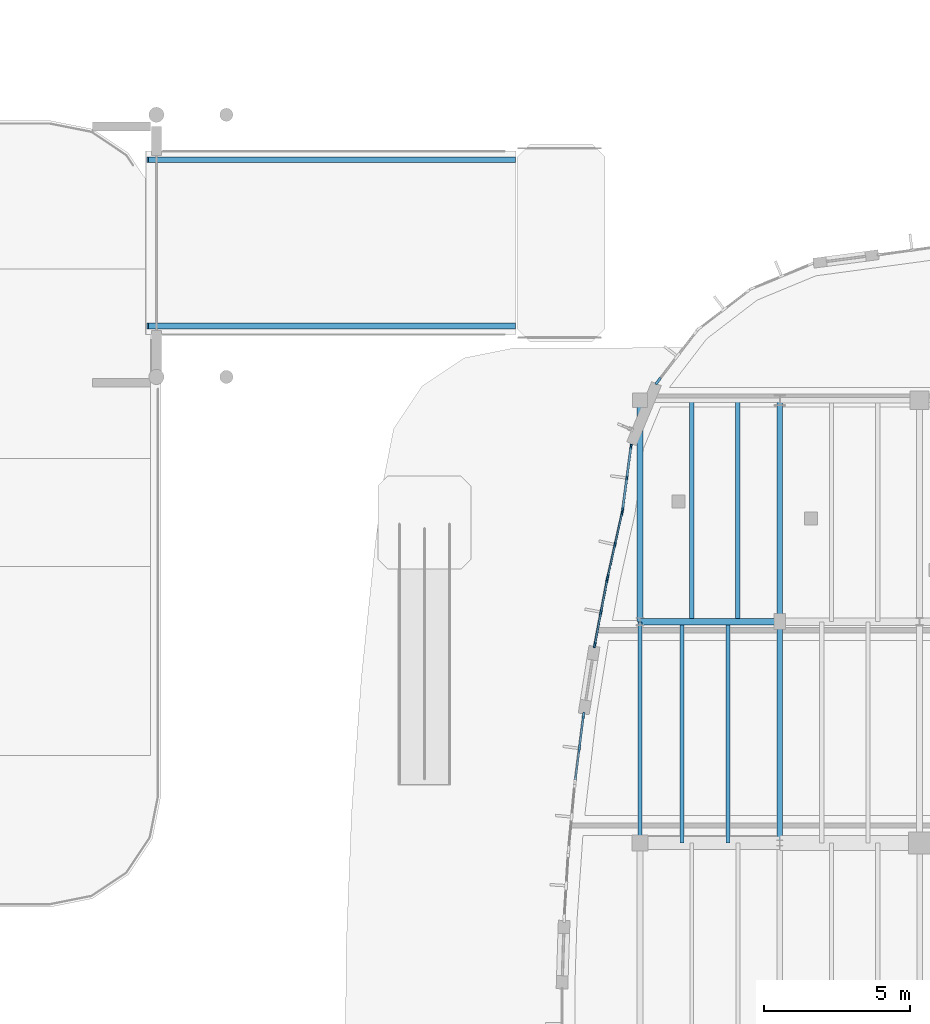
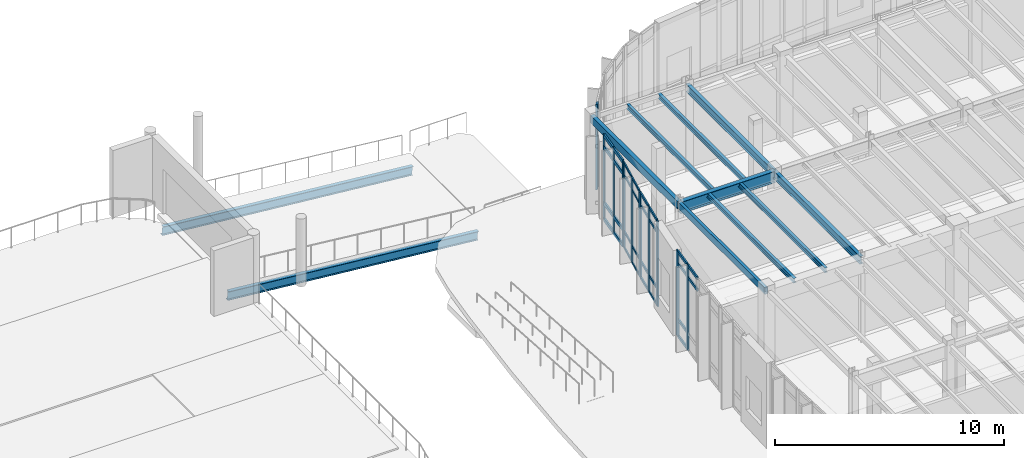
# One storey, part 53 of 120: 42 members, 11 beams, 5 elements without a shape of their own.
"""IFC4 building model written with IfcOpenShell, lengths in metres."""

from ifc_helpers import new_model, si_unit, direction, frame, origin, origin_2d, place, context, subcontext, project, spatial, rectangle, hollow_rectangle, i_section, extrude, material, material_profile, profile_set, type_object, element, aggregate, save


model = new_model("IFC4")

# Units and contexts
model_context = context("Model", 3, precision=1e-05, world=origin(), true_north=direction((0.0, 1.0)))
body_context = subcontext(model_context, "Body", "Model", "MODEL_VIEW")
ifc_project = project(units=[si_unit("LENGTHUNIT", "METRE"), si_unit("AREAUNIT", "SQUARE_METRE"), si_unit("VOLUMEUNIT", "CUBIC_METRE"), si_unit("PLANEANGLEUNIT", "RADIAN"), si_unit("MASSUNIT", "GRAM", prefix="KILO")], contexts=[model_context])

# Site, building, storey
site_placement = place(None, origin())
site = spatial("IfcSite", under=ifc_project, at=site_placement, CompositionType="ELEMENT")
building_placement = place(site_placement, origin())
building = spatial("IfcBuilding", under=site, at=building_placement, Name="Corveleigh Park Community Centre", CompositionType="ELEMENT")
storey_placement = place(building_placement, origin())
storey = spatial("IfcBuildingStorey", under=building, at=storey_placement, Name="L00", CompositionType="ELEMENT", Elevation=0.0)

# Beams
ifc_material_1 = material(Name="Steel S355", Category="steel")
ifc_material_profile_1 = material_profile(ifc_material_1, i_section(OverallWidth=0.14599609375, OverallDepth=0.25146484375, WebThickness=0.006103515625, FlangeThickness=0.008544921875, at=origin_2d()), Name="UKB 254x146x31", Category="steel")
ifc_profile_set_1 = profile_set([ifc_material_profile_1], Name="Steel S355")
beam_type_1 = type_object("IfcBeamType", Name="BM-STL-UKB254x31", PredefinedType="JOIST", material=ifc_profile_set_1)
for number, where, z_axis, x_axis, name in (
    (1, (131.239990234375, 89.0048828125, 4.4013671875), (0.0, 1.0, 0.0), (-1.0, 0.0, 0.0), "Secondary floor joist"),
    (2, (132.823974609375, 89.0048828125, 4.4013671875), (0.0, 1.0, 0.0), (-1.0, 0.0, 0.0), "Secondary floor joist"),
):
    element("IfcBeam", number, at=place(storey_placement, frame(where, z_axis=z_axis, x_axis=x_axis)), inside=storey, type_object=beam_type_1, Name=name, PredefinedType="JOIST", context=body_context, shape_type="SweptSolid", body=[
        extrude(i_section(OverallWidth=0.14599609375, OverallDepth=0.25146484375, WebThickness=0.006103515625, FlangeThickness=0.008544921875, at=origin_2d()), origin(), (0.0, 0.0, 1.0), 7.590087890625),
    ])
ifc_material_profile_2 = material_profile(ifc_material_1, i_section(OverallWidth=0.146484375, OverallDepth=0.256103515625, WebThickness=0.00634765625, FlangeThickness=0.010986328125, at=origin_2d()), Name="UKB 254x146x37", Category="steel")
ifc_profile_set_2 = profile_set([ifc_material_profile_2], Name="Steel S355")
beam_type_2 = type_object("IfcBeamType", Name="BM-STL-UKB254x37", PredefinedType="JOIST", material=ifc_profile_set_2)
for number, where, z_axis, x_axis, name in (
    (3, (131.575927734375, 96.60498046875, 4.39892578125), (0.0, 1.0, 0.0), (-1.0, 0.0, 0.0), "Secondary floor joist"),
    (4, (133.159912109375, 96.60498046875, 4.39892578125), (0.0, 1.0, 0.0), (-1.0, 0.0, 0.0), "Secondary floor joist"),
):
    element("IfcBeam", number, at=place(storey_placement, frame(where, z_axis=z_axis, x_axis=x_axis)), inside=storey, type_object=beam_type_2, Name=name, PredefinedType="JOIST", context=body_context, shape_type="SweptSolid", body=[
        extrude(i_section(OverallWidth=0.146484375, OverallDepth=0.256103515625, WebThickness=0.00634765625, FlangeThickness=0.010986328125, at=origin_2d()), origin(), (0.0, 0.0, 1.0), 7.590087890625),
    ])
ifc_material_profile_3 = material_profile(ifc_material_1, i_section(OverallWidth=0.1787109375, OverallDepth=0.409423828125, WebThickness=0.0087890625, FlangeThickness=0.014404296875, at=origin_2d()), Name="UKB 406x178x67", Category="steel")
ifc_profile_set_3 = profile_set([ifc_material_profile_3], Name="Steel S355")
beam_type_3 = type_object("IfcBeamType", Name="BM-STL-UKB406x67", PredefinedType="BEAM", material=ifc_profile_set_3)
beam_1_placement = place(storey_placement, frame((134.60009765625, 89.0048828125, 4.322265625), z_axis=(0.0, 1.0, 0.0), x_axis=(-1.0, 0.0, 0.0)))
element("IfcBeam", 5, at=beam_1_placement, inside=storey, type_object=beam_type_3, Name="V4 Girder Y", PredefinedType="BEAM", context=body_context, shape_type="SweptSolid", body=[
    extrude(i_section(OverallWidth=0.1787109375, OverallDepth=0.409423828125, WebThickness=0.0087890625, FlangeThickness=0.014404296875, at=origin_2d()), origin(), (0.0, 0.0, 1.0), 7.590087890625),
])
ifc_material_profile_4 = material_profile(ifc_material_1, i_section(OverallWidth=0.179443359375, OverallDepth=0.412841796875, WebThickness=0.009521484375, FlangeThickness=0.01611328125, at=origin_2d()), Name="UKB 406x178x74", Category="steel")
ifc_profile_set_4 = profile_set([ifc_material_profile_4], Name="Steel S355")
beam_type_4 = type_object("IfcBeamType", Name="BM-STL-UKB406x74", PredefinedType="BEAM", material=ifc_profile_set_4)
beam_2_placement = place(storey_placement, frame((134.60009765625, 96.60498046875, 4.320556640625), z_axis=(0.0, 1.0, 0.0), x_axis=(-1.0, 0.0, 0.0)))
element("IfcBeam", 6, at=beam_2_placement, inside=storey, type_object=beam_type_4, Name="V4 Girder Y", PredefinedType="BEAM", context=body_context, shape_type="SweptSolid", body=[
    extrude(i_section(OverallWidth=0.179443359375, OverallDepth=0.412841796875, WebThickness=0.009521484375, FlangeThickness=0.01611328125, at=origin_2d()), origin(), (0.0, 0.0, 1.0), 7.590087890625),
])
ifc_material_profile_5 = material_profile(ifc_material_1, i_section(OverallWidth=0.19140625, OverallDepth=0.4599609375, WebThickness=0.010009765625, FlangeThickness=0.01611328125, at=origin_2d()), Name="UKB 457x191x82", Category="steel")
ifc_profile_set_5 = profile_set([ifc_material_profile_5], Name="Steel S355")
beam_type_5 = type_object("IfcBeamType", Name="BM-STL-UKB457x82", PredefinedType="BEAM", material=ifc_profile_set_5)
for number, where, z_axis, x_axis, name in (
    (7, (125.500244140625, 106.75, -1.9033203125), (-0.995564992886, 0.0, 0.094076271925), (0.0, -1.0, 0.0), "Vehicle Ramp South Stringer Girder"),
    (8, (125.500244140625, 112.449951171875, -1.9033203125), (-0.995564992886, 0.0, 0.094076271925), (0.0, -1.0, 0.0), "Vehicle Ramp North Stringer Girder"),
):
    element("IfcBeam", number, at=place(storey_placement, frame(where, z_axis=z_axis, x_axis=x_axis)), inside=storey, type_object=beam_type_5, Name=name, PredefinedType="BEAM", context=body_context, shape_type="SweptSolid", body=[
        extrude(i_section(OverallWidth=0.19140625, OverallDepth=0.4599609375, WebThickness=0.010009765625, FlangeThickness=0.01611328125, at=origin_2d()), origin(), (0.0, 0.0, 1.0), 12.656494140625),
    ])
ifc_material_profile_6 = material_profile(ifc_material_1, i_section(OverallWidth=0.22900390625, OverallDepth=0.6123046875, WebThickness=0.011962890625, FlangeThickness=0.01953125, at=origin_2d()), Name="UKB 610x229x125", Category="steel")
ifc_profile_set_6 = profile_set([ifc_material_profile_6], Name="Steel S355")
beam_type_6 = type_object("IfcBeamType", Name="BM-STL-UKB610x125", PredefinedType="BEAM", material=ifc_profile_set_6)
beam_3_placement = place(storey_placement, frame((129.804931640625, 96.60009765625, 4.220947265625), z_axis=(1.0, 0.0, 0.0), x_axis=(0.0, 1.0, 0.0)))
element("IfcBeam", 9, at=beam_3_placement, inside=storey, type_object=beam_type_6, Name="V4 Girder X", PredefinedType="BEAM", context=body_context, shape_type="SweptSolid", body=[
    extrude(i_section(OverallWidth=0.22900390625, OverallDepth=0.6123046875, WebThickness=0.011962890625, FlangeThickness=0.01953125, at=origin_2d()), origin(), (0.0, 0.0, 1.0), 4.7900390625),
])

# Curtain wall, members
ifc_material_2 = material(Name="Anodised aluminium 6063-T6", Category="aluminium")
curtain_wall_type = type_object("IfcCurtainWallType", Name="CW-SYS-V4-L00", PredefinedType="NOTDEFINED", material=ifc_material_2)
curtain_wall_1_placement = place(storey_placement, origin())
curtain_wall_1 = element("IfcCurtainWall", 10, at=curtain_wall_1_placement, inside=storey, type_object=curtain_wall_type, Name="V4 L00 Curtain Wall 145", PredefinedType="NOTDEFINED")
ifc_material_profile_7 = material_profile(ifc_material_2, rectangle(XDim=0.06005859375, YDim=0.159912109375, at=origin_2d()), Name="ALU-M60x160", Category="aluminium")
ifc_profile_set_7 = profile_set([ifc_material_profile_7], Name="Anodised aluminium 6063-T6")
member_type_1 = type_object("IfcMemberType", Name="CWM-60x160", PredefinedType="MULLION", material=ifc_profile_set_7)
member_1_placement = place(storey_placement, frame((129.205810546875, 100.44482421875, 0.0), z_axis=(0.0, 0.0, 1.0), x_axis=(-0.991428562913, 0.13064993165, 0.0)))
member_1 = element("IfcMember", 11, at=member_1_placement, type_object=member_type_1, Name="CW07 mullion 1", PredefinedType="MULLION", context=body_context, shape_type="SweptSolid", body=[
    extrude(rectangle(XDim=0.06005859375, YDim=0.159912109375, at=origin_2d()), origin(), (0.0, 0.0, 1.0), 4.537109375),
])
member_2_placement = place(storey_placement, frame((129.34912109375, 101.530517578125, 0.0), z_axis=(0.0, 0.0, 1.0), x_axis=(-0.991428562913, 0.13064993165, 0.0)))
member_2 = element("IfcMember", 12, at=member_2_placement, type_object=member_type_1, Name="CW07 mullion 2", PredefinedType="MULLION", context=body_context, shape_type="SweptSolid", body=[
    extrude(rectangle(XDim=0.06005859375, YDim=0.159912109375, at=origin_2d()), origin(), (0.0, 0.0, 1.0), 4.537109375),
])
member_3_placement = place(storey_placement, frame((129.4921875, 102.6162109375, 0.0), z_axis=(0.0, 0.0, 1.0), x_axis=(-0.991428562913, 0.13064993165, 0.0)))
member_3 = element("IfcMember", 13, at=member_3_placement, type_object=member_type_1, Name="CW07 mullion 3", PredefinedType="MULLION", context=body_context, shape_type="SweptSolid", body=[
    extrude(rectangle(XDim=0.06005859375, YDim=0.159912109375, at=origin_2d()), origin(), (0.0, 0.0, 1.0), 4.537109375),
])

curtain_wall_2_placement = place(storey_placement, origin())
curtain_wall_2 = element("IfcCurtainWall", 14, at=curtain_wall_2_placement, inside=storey, type_object=curtain_wall_type, Name="V4 L00 Curtain Wall 146", PredefinedType="NOTDEFINED")
ifc_material_profile_8 = material_profile(ifc_material_2, rectangle(XDim=0.06494140625, YDim=0.179931640625, at=origin_2d()), Name="ALU-M65x180", Category="aluminium")
ifc_profile_set_8 = profile_set([ifc_material_profile_8], Name="Anodised aluminium 6063-T6")
member_type_2 = type_object("IfcMemberType", Name="CWM-65x180", PredefinedType="MULLION", material=ifc_profile_set_8)
member_4_placement = place(storey_placement, frame((128.691162109375, 98.129638671875, 0.0), z_axis=(0.0, 0.0, 1.0), x_axis=(-0.975753455878, 0.218872550452, 0.0)))
member_4 = element("IfcMember", 15, at=member_4_placement, type_object=member_type_2, Name="CW07 mullion 1", PredefinedType="MULLION", context=body_context, shape_type="SweptSolid", body=[
    extrude(rectangle(XDim=0.06494140625, YDim=0.179931640625, at=origin_2d()), origin(), (0.0, 0.0, 1.0), 4.537109375),
])
member_5_placement = place(storey_placement, frame((128.9404296875, 99.241455078125, 0.0), z_axis=(0.0, 0.0, 1.0), x_axis=(-0.975753455878, 0.218872550452, 0.0)))
member_5 = element("IfcMember", 16, at=member_5_placement, type_object=member_type_2, Name="CW07 mullion 2", PredefinedType="MULLION", context=body_context, shape_type="SweptSolid", body=[
    extrude(rectangle(XDim=0.06494140625, YDim=0.179931640625, at=origin_2d()), origin(), (0.0, 0.0, 1.0), 4.537109375),
])
member_6_placement = place(storey_placement, frame((129.18994140625, 100.353271484375, 0.0), z_axis=(0.0, 0.0, 1.0), x_axis=(-0.975753455878, 0.218872550452, 0.0)))
member_6 = element("IfcMember", 17, at=member_6_placement, type_object=member_type_2, Name="CW07 mullion 3", PredefinedType="MULLION", context=body_context, shape_type="SweptSolid", body=[
    extrude(rectangle(XDim=0.06494140625, YDim=0.179931640625, at=origin_2d()), origin(), (0.0, 0.0, 1.0), 4.537109375),
])

curtain_wall_3_placement = place(storey_placement, origin())
curtain_wall_3 = element("IfcCurtainWall", 18, at=curtain_wall_3_placement, inside=storey, type_object=curtain_wall_type, Name="V4 L00 Curtain Wall 147", PredefinedType="NOTDEFINED")
ifc_material_profile_9 = material_profile(ifc_material_2, rectangle(XDim=0.070068359375, YDim=0.199951171875, at=origin_2d()), Name="ALU-M70x200", Category="aluminium")
ifc_profile_set_9 = profile_set([ifc_material_profile_9], Name="Anodised aluminium 6063-T6")
member_type_3 = type_object("IfcMemberType", Name="CWM-70x200", PredefinedType="MULLION", material=ifc_profile_set_9)
member_7_placement = place(storey_placement, frame((128.24658203125, 95.805419921875, 0.0), z_axis=(0.0, 0.0, 1.0), x_axis=(-0.982323668519, 0.187190304951, 0.0)))
member_7 = element("IfcMember", 19, at=member_7_placement, type_object=member_type_3, Name="CW07 mullion 1", PredefinedType="MULLION", context=body_context, shape_type="SweptSolid", body=[
    extrude(rectangle(XDim=0.070068359375, YDim=0.199951171875, at=origin_2d()), origin(), (0.0, 0.0, 1.0), 4.537109375),
])
member_8_placement = place(storey_placement, frame((128.4599609375, 96.925537109375, 0.0), z_axis=(0.0, 0.0, 1.0), x_axis=(-0.982323668519, 0.187190304951, 0.0)))
member_8 = element("IfcMember", 20, at=member_8_placement, type_object=member_type_3, Name="CW07 mullion 2", PredefinedType="MULLION", context=body_context, shape_type="SweptSolid", body=[
    extrude(rectangle(XDim=0.070068359375, YDim=0.199951171875, at=origin_2d()), origin(), (0.0, 0.0, 1.0), 4.537109375),
])
member_9_placement = place(storey_placement, frame((128.67333984375, 98.045654296875, 0.0), z_axis=(0.0, 0.0, 1.0), x_axis=(-0.982323668519, 0.187190304951, 0.0)))
member_9 = element("IfcMember", 21, at=member_9_placement, type_object=member_type_3, Name="CW07 mullion 3", PredefinedType="MULLION", context=body_context, shape_type="SweptSolid", body=[
    extrude(rectangle(XDim=0.070068359375, YDim=0.199951171875, at=origin_2d()), origin(), (0.0, 0.0, 1.0), 4.537109375),
])

curtain_wall_4_placement = place(storey_placement, origin())
curtain_wall_4 = element("IfcCurtainWall", 22, at=curtain_wall_4_placement, inside=storey, type_object=curtain_wall_type, Name="V4 L00 Curtain Wall 148", PredefinedType="NOTDEFINED")
ifc_material_profile_10 = material_profile(ifc_material_2, rectangle(XDim=0.074951171875, YDim=0.219970703125, at=origin_2d()), Name="ALU-M75x220", Category="aluminium")
ifc_profile_set_10 = profile_set([ifc_material_profile_10], Name="Anodised aluminium 6063-T6")
member_type_4 = type_object("IfcMemberType", Name="CWM-75x220", PredefinedType="MULLION", material=ifc_profile_set_10)
member_10_placement = place(storey_placement, frame((127.718017578125, 92.248046875, 0.0), z_axis=(0.0, 0.0, 1.0), x_axis=(-0.992040478554, 0.125919374639, 0.0)))
member_10 = element("IfcMember", 23, at=member_10_placement, type_object=member_type_4, Name="CW07 mullion 2", PredefinedType="MULLION", context=body_context, shape_type="SweptSolid", body=[
    extrude(rectangle(XDim=0.074951171875, YDim=0.219970703125, at=origin_2d()), origin(), (0.0, 0.0, 1.0), 4.537109375),
])
member_11_placement = place(storey_placement, frame((127.861328125, 93.376708984375, 0.0), z_axis=(0.0, 0.0, 1.0), x_axis=(-0.992040478554, 0.125919374639, 0.0)))
member_11 = element("IfcMember", 24, at=member_11_placement, type_object=member_type_4, Name="CW07 mullion 3", PredefinedType="MULLION", context=body_context, shape_type="SweptSolid", body=[
    extrude(rectangle(XDim=0.074951171875, YDim=0.219970703125, at=origin_2d()), origin(), (0.0, 0.0, 1.0), 4.537109375),
])

# Curtain wall, member
curtain_wall_5_placement = place(storey_placement, origin())
curtain_wall_5 = element("IfcCurtainWall", 25, at=curtain_wall_5_placement, inside=storey, type_object=curtain_wall_type, Name="V4 L00 Curtain Wall 144", PredefinedType="NOTDEFINED")
ifc_material_profile_11 = material_profile(ifc_material_2, rectangle(XDim=0.0849609375, YDim=0.27490234375, at=origin_2d()), Name="ALU-M85x275", Category="aluminium")
ifc_profile_set_11 = profile_set([ifc_material_profile_11], Name="Anodised aluminium 6063-T6")
member_type_5 = type_object("IfcMemberType", Name="CWM-85x275", PredefinedType="MULLION", material=ifc_profile_set_11)
member_12_placement = place(storey_placement, frame((130.423828125, 104.858642578125, 0.0), z_axis=(0.0, 0.0, 1.0), x_axis=(-0.79345507523, 0.608628822511, 0.0)))
member_12 = element("IfcMember", 26, at=member_12_placement, type_object=member_type_5, Name="CW07 mullion 1", PredefinedType="MULLION", context=body_context, shape_type="SweptSolid", body=[
    extrude(rectangle(XDim=0.0849609375, YDim=0.27490234375, at=origin_2d()), origin(), (0.0, 0.0, 1.0), 4.537109375),
])
aggregate(curtain_wall_5, [member_12])

# Member
ifc_material_profile_12 = material_profile(ifc_material_2, rectangle(XDim=0.06005859375, YDim=0.1201171875, at=origin_2d()), Name="ALU-T60x120", Category="aluminium")
ifc_profile_set_12 = profile_set([ifc_material_profile_12], Name="Anodised aluminium 6063-T6")
member_type_6 = type_object("IfcMemberType", Name="CWT-60x120", PredefinedType="USERDEFINED", material=ifc_profile_set_12)
member_13_placement = place(storey_placement, frame((128.6982421875, 98.161376953125, 0.030029296875), z_axis=(0.218830831153, 0.975762813053, 0.0), x_axis=(-0.975762813053, 0.218830831153, 0.0)))
member_13 = element("IfcMember", 27, at=member_13_placement, type_object=member_type_6, Name="CW07 transom 1.1", ObjectType="TRANSOM", PredefinedType="USERDEFINED", context=body_context, shape_type="SweptSolid", body=[
    extrude(rectangle(XDim=0.06005859375, YDim=0.1201171875, at=origin_2d()), origin(), (0.0, 0.0, 1.0), 1.074462890625),
])

member_14_placement = place(storey_placement, frame((128.6982421875, 98.161376953125, 0.89990234375), z_axis=(0.218830831153, 0.975762813053, 0.0), x_axis=(-0.975762813053, 0.218830831153, 0.0)))
member_14 = element("IfcMember", 28, at=member_14_placement, type_object=member_type_6, Name="CW07 transom 1.2", ObjectType="TRANSOM", PredefinedType="USERDEFINED", context=body_context, shape_type="SweptSolid", body=[
    extrude(rectangle(XDim=0.06005859375, YDim=0.1201171875, at=origin_2d()), origin(), (0.0, 0.0, 1.0), 1.074462890625),
])

member_15_placement = place(storey_placement, frame((128.6982421875, 98.161376953125, 3.886962890625), z_axis=(0.218830831153, 0.975762813053, 0.0), x_axis=(-0.975762813053, 0.218830831153, 0.0)))
member_15 = element("IfcMember", 29, at=member_15_placement, type_object=member_type_6, Name="CW07 transom 1.3", ObjectType="TRANSOM", PredefinedType="USERDEFINED", context=body_context, shape_type="SweptSolid", body=[
    extrude(rectangle(XDim=0.06005859375, YDim=0.1201171875, at=origin_2d()), origin(), (0.0, 0.0, 1.0), 1.074462890625),
])

member_16_placement = place(storey_placement, frame((128.6982421875, 98.161376953125, 4.507080078125), z_axis=(0.218830831153, 0.975762813053, 0.0), x_axis=(-0.975762813053, 0.218830831153, 0.0)))
member_16 = element("IfcMember", 30, at=member_16_placement, type_object=member_type_6, Name="CW07 transom 1.4", ObjectType="TRANSOM", PredefinedType="USERDEFINED", context=body_context, shape_type="SweptSolid", body=[
    extrude(rectangle(XDim=0.06005859375, YDim=0.1201171875, at=origin_2d()), origin(), (0.0, 0.0, 1.0), 1.074462890625),
])

member_17_placement = place(storey_placement, frame((128.947509765625, 99.273193359375, 0.030029296875), z_axis=(0.21904717191, 0.975714269896, 0.0), x_axis=(-0.975714269896, 0.21904717191, 0.0)))
member_17 = element("IfcMember", 31, at=member_17_placement, type_object=member_type_6, Name="CW07 transom 2.1", ObjectType="TRANSOM", PredefinedType="USERDEFINED", context=body_context, shape_type="SweptSolid", body=[
    extrude(rectangle(XDim=0.06005859375, YDim=0.1201171875, at=origin_2d()), origin(), (0.0, 0.0, 1.0), 1.074462890625),
])

member_18_placement = place(storey_placement, frame((128.947509765625, 99.273193359375, 0.89990234375), z_axis=(0.21904717191, 0.975714269896, 0.0), x_axis=(-0.975714269896, 0.21904717191, 0.0)))
member_18 = element("IfcMember", 32, at=member_18_placement, type_object=member_type_6, Name="CW07 transom 2.2", ObjectType="TRANSOM", PredefinedType="USERDEFINED", context=body_context, shape_type="SweptSolid", body=[
    extrude(rectangle(XDim=0.06005859375, YDim=0.1201171875, at=origin_2d()), origin(), (0.0, 0.0, 1.0), 1.074462890625),
])

member_19_placement = place(storey_placement, frame((128.947509765625, 99.273193359375, 3.886962890625), z_axis=(0.21904717191, 0.975714269896, 0.0), x_axis=(-0.975714269896, 0.21904717191, 0.0)))
member_19 = element("IfcMember", 33, at=member_19_placement, type_object=member_type_6, Name="CW07 transom 2.3", ObjectType="TRANSOM", PredefinedType="USERDEFINED", context=body_context, shape_type="SweptSolid", body=[
    extrude(rectangle(XDim=0.06005859375, YDim=0.1201171875, at=origin_2d()), origin(), (0.0, 0.0, 1.0), 1.074462890625),
])

member_20_placement = place(storey_placement, frame((128.947509765625, 99.273193359375, 4.507080078125), z_axis=(0.21904717191, 0.975714269896, 0.0), x_axis=(-0.975714269896, 0.21904717191, 0.0)))
member_20 = element("IfcMember", 34, at=member_20_placement, type_object=member_type_6, Name="CW07 transom 2.4", ObjectType="TRANSOM", PredefinedType="USERDEFINED", context=body_context, shape_type="SweptSolid", body=[
    extrude(rectangle(XDim=0.06005859375, YDim=0.1201171875, at=origin_2d()), origin(), (0.0, 0.0, 1.0), 1.074462890625),
])

aggregate(curtain_wall_2, [member_4, member_5, member_6, member_13, member_14, member_15, member_16, member_17, member_18, member_19, member_20])

ifc_material_profile_13 = material_profile(ifc_material_2, rectangle(XDim=0.06494140625, YDim=0.139892578125, at=origin_2d()), Name="ALU-T65x140", Category="aluminium")
ifc_profile_set_13 = profile_set([ifc_material_profile_13], Name="Anodised aluminium 6063-T6")
member_type_7 = type_object("IfcMemberType", Name="CWT-65x140", PredefinedType="USERDEFINED", material=ifc_profile_set_13)
member_21_placement = place(storey_placement, frame((128.253173828125, 95.83984375, 0.032470703125), z_axis=(0.187070174927, 0.982346552726, 0.0), x_axis=(-0.982346552726, 0.187070174927, 0.0)))
member_21 = element("IfcMember", 35, at=member_21_placement, type_object=member_type_7, Name="CW07 transom 1.1", ObjectType="TRANSOM", PredefinedType="USERDEFINED", context=body_context, shape_type="SweptSolid", body=[
    extrude(rectangle(XDim=0.06494140625, YDim=0.139892578125, at=origin_2d()), origin(), (0.0, 0.0, 1.0), 1.070068359375),
])

member_22_placement = place(storey_placement, frame((128.253173828125, 95.83984375, 0.89990234375), z_axis=(0.187070174927, 0.982346552726, 0.0), x_axis=(-0.982346552726, 0.187070174927, 0.0)))
member_22 = element("IfcMember", 36, at=member_22_placement, type_object=member_type_7, Name="CW07 transom 1.2", ObjectType="TRANSOM", PredefinedType="USERDEFINED", context=body_context, shape_type="SweptSolid", body=[
    extrude(rectangle(XDim=0.06494140625, YDim=0.139892578125, at=origin_2d()), origin(), (0.0, 0.0, 1.0), 1.070068359375),
])

member_23_placement = place(storey_placement, frame((128.253173828125, 95.83984375, 3.886962890625), z_axis=(0.187070174927, 0.982346552726, 0.0), x_axis=(-0.982346552726, 0.187070174927, 0.0)))
member_23 = element("IfcMember", 37, at=member_23_placement, type_object=member_type_7, Name="CW07 transom 1.3", ObjectType="TRANSOM", PredefinedType="USERDEFINED", context=body_context, shape_type="SweptSolid", body=[
    extrude(rectangle(XDim=0.06494140625, YDim=0.139892578125, at=origin_2d()), origin(), (0.0, 0.0, 1.0), 1.070068359375),
])

member_24_placement = place(storey_placement, frame((128.253173828125, 95.83984375, 4.50439453125), z_axis=(0.187070174927, 0.982346552726, 0.0), x_axis=(-0.982346552726, 0.187070174927, 0.0)))
member_24 = element("IfcMember", 38, at=member_24_placement, type_object=member_type_7, Name="CW07 transom 1.4", ObjectType="TRANSOM", PredefinedType="USERDEFINED", context=body_context, shape_type="SweptSolid", body=[
    extrude(rectangle(XDim=0.06494140625, YDim=0.139892578125, at=origin_2d()), origin(), (0.0, 0.0, 1.0), 1.070068359375),
])

member_25_placement = place(storey_placement, frame((128.466552734375, 96.9599609375, 0.032470703125), z_axis=(0.18729031157, 0.982304606114, 0.0), x_axis=(-0.982304606114, 0.18729031157, 0.0)))
member_25 = element("IfcMember", 39, at=member_25_placement, type_object=member_type_7, Name="CW07 transom 2.1", ObjectType="TRANSOM", PredefinedType="USERDEFINED", context=body_context, shape_type="SweptSolid", body=[
    extrude(rectangle(XDim=0.06494140625, YDim=0.139892578125, at=origin_2d()), origin(), (0.0, 0.0, 1.0), 1.0703125),
])

member_26_placement = place(storey_placement, frame((128.466552734375, 96.9599609375, 0.89990234375), z_axis=(0.18729031157, 0.982304606114, 0.0), x_axis=(-0.982304606114, 0.18729031157, 0.0)))
member_26 = element("IfcMember", 40, at=member_26_placement, type_object=member_type_7, Name="CW07 transom 2.2", ObjectType="TRANSOM", PredefinedType="USERDEFINED", context=body_context, shape_type="SweptSolid", body=[
    extrude(rectangle(XDim=0.06494140625, YDim=0.139892578125, at=origin_2d()), origin(), (0.0, 0.0, 1.0), 1.0703125),
])

member_27_placement = place(storey_placement, frame((128.466552734375, 96.9599609375, 3.886962890625), z_axis=(0.18729031157, 0.982304606114, 0.0), x_axis=(-0.982304606114, 0.18729031157, 0.0)))
member_27 = element("IfcMember", 41, at=member_27_placement, type_object=member_type_7, Name="CW07 transom 2.3", ObjectType="TRANSOM", PredefinedType="USERDEFINED", context=body_context, shape_type="SweptSolid", body=[
    extrude(rectangle(XDim=0.06494140625, YDim=0.139892578125, at=origin_2d()), origin(), (0.0, 0.0, 1.0), 1.0703125),
])

member_28_placement = place(storey_placement, frame((128.466552734375, 96.9599609375, 4.50439453125), z_axis=(0.18729031157, 0.982304606114, 0.0), x_axis=(-0.982304606114, 0.18729031157, 0.0)))
member_28 = element("IfcMember", 42, at=member_28_placement, type_object=member_type_7, Name="CW07 transom 2.4", ObjectType="TRANSOM", PredefinedType="USERDEFINED", context=body_context, shape_type="SweptSolid", body=[
    extrude(rectangle(XDim=0.06494140625, YDim=0.139892578125, at=origin_2d()), origin(), (0.0, 0.0, 1.0), 1.0703125),
])

aggregate(curtain_wall_3, [member_7, member_8, member_9, member_21, member_22, member_23, member_24, member_25, member_26, member_27, member_28])

ifc_material_profile_14 = material_profile(ifc_material_2, rectangle(XDim=0.070068359375, YDim=0.155029296875, at=origin_2d()), Name="ALU-T70x155", Category="aluminium")
ifc_profile_set_14 = profile_set([ifc_material_profile_14], Name="Anodised aluminium 6063-T6")
member_type_8 = type_object("IfcMemberType", Name="CWT-70x155", PredefinedType="USERDEFINED", material=ifc_profile_set_14)
member_29_placement = place(storey_placement, frame((127.579345703125, 91.156494140625, 3.886962890625), z_axis=(0.126126853311, 0.992014121308, 0.0), x_axis=(-0.992014121308, 0.126126853311, 0.0)))
member_29 = element("IfcMember", 43, at=member_29_placement, type_object=member_type_8, Name="CW07 transom 1.3", ObjectType="TRANSOM", PredefinedType="USERDEFINED", context=body_context, shape_type="SweptSolid", body=[
    extrude(rectangle(XDim=0.070068359375, YDim=0.155029296875, at=origin_2d()), origin(), (0.0, 0.0, 1.0), 1.062744140625),
])

member_30_placement = place(storey_placement, frame((127.579345703125, 91.156494140625, 4.501953125), z_axis=(0.126126853311, 0.992014121308, 0.0), x_axis=(-0.992014121308, 0.126126853311, 0.0)))
member_30 = element("IfcMember", 44, at=member_30_placement, type_object=member_type_8, Name="CW07 transom 1.4", ObjectType="TRANSOM", PredefinedType="USERDEFINED", context=body_context, shape_type="SweptSolid", body=[
    extrude(rectangle(XDim=0.070068359375, YDim=0.155029296875, at=origin_2d()), origin(), (0.0, 0.0, 1.0), 1.062744140625),
])

member_31_placement = place(storey_placement, frame((127.72265625, 92.28515625, 0.034912109375), z_axis=(0.125872070383, 0.992046481722, 0.0), x_axis=(-0.992046481722, 0.125872070383, 0.0)))
member_31 = element("IfcMember", 45, at=member_31_placement, type_object=member_type_8, Name="CW07 transom 2.1", ObjectType="TRANSOM", PredefinedType="USERDEFINED", context=body_context, shape_type="SweptSolid", body=[
    extrude(rectangle(XDim=0.070068359375, YDim=0.155029296875, at=origin_2d()), origin(), (0.0, 0.0, 1.0), 1.06298828125),
])

member_32_placement = place(storey_placement, frame((127.72265625, 92.28515625, 0.89990234375), z_axis=(0.125872070383, 0.992046481722, 0.0), x_axis=(-0.992046481722, 0.125872070383, 0.0)))
member_32 = element("IfcMember", 46, at=member_32_placement, type_object=member_type_8, Name="CW07 transom 2.2", ObjectType="TRANSOM", PredefinedType="USERDEFINED", context=body_context, shape_type="SweptSolid", body=[
    extrude(rectangle(XDim=0.070068359375, YDim=0.155029296875, at=origin_2d()), origin(), (0.0, 0.0, 1.0), 1.06298828125),
])

member_33_placement = place(storey_placement, frame((127.72265625, 92.28515625, 3.886962890625), z_axis=(0.125872070383, 0.992046481722, 0.0), x_axis=(-0.992046481722, 0.125872070383, 0.0)))
member_33 = element("IfcMember", 47, at=member_33_placement, type_object=member_type_8, Name="CW07 transom 2.3", ObjectType="TRANSOM", PredefinedType="USERDEFINED", context=body_context, shape_type="SweptSolid", body=[
    extrude(rectangle(XDim=0.070068359375, YDim=0.155029296875, at=origin_2d()), origin(), (0.0, 0.0, 1.0), 1.06298828125),
])

member_34_placement = place(storey_placement, frame((127.72265625, 92.28515625, 4.501953125), z_axis=(0.125872070383, 0.992046481722, 0.0), x_axis=(-0.992046481722, 0.125872070383, 0.0)))
member_34 = element("IfcMember", 48, at=member_34_placement, type_object=member_type_8, Name="CW07 transom 2.4", ObjectType="TRANSOM", PredefinedType="USERDEFINED", context=body_context, shape_type="SweptSolid", body=[
    extrude(rectangle(XDim=0.070068359375, YDim=0.155029296875, at=origin_2d()), origin(), (0.0, 0.0, 1.0), 1.06298828125),
])

aggregate(curtain_wall_4, [member_10, member_11, member_29, member_30, member_31, member_32, member_33, member_34])

ifc_material_profile_15 = material_profile(ifc_material_2, rectangle(XDim=0.080078125, YDim=0.195068359375, at=origin_2d()), Name="ALU-T80x195", Category="aluminium")
ifc_profile_set_15 = profile_set([ifc_material_profile_15], Name="Anodised aluminium 6063-T6")
member_type_9 = type_object("IfcMemberType", Name="CWT-80x195", PredefinedType="USERDEFINED", material=ifc_profile_set_15)
member_35_placement = place(storey_placement, frame((129.2099609375, 100.474365234375, 0.0400390625), z_axis=(0.130417908769, 0.991459111145, 0.0), x_axis=(-0.991459111145, 0.130417908769, 0.0)))
member_35 = element("IfcMember", 49, at=member_35_placement, type_object=member_type_9, Name="CW07 transom 1.1", ObjectType="TRANSOM", PredefinedType="USERDEFINED", context=body_context, shape_type="SweptSolid", body=[
    extrude(rectangle(XDim=0.080078125, YDim=0.195068359375, at=origin_2d()), origin(), (0.0, 0.0, 1.0), 1.03515625),
])

member_36_placement = place(storey_placement, frame((129.2099609375, 100.474365234375, 0.89990234375), z_axis=(0.130417908769, 0.991459111145, 0.0), x_axis=(-0.991459111145, 0.130417908769, 0.0)))
member_36 = element("IfcMember", 50, at=member_36_placement, type_object=member_type_9, Name="CW07 transom 1.2", ObjectType="TRANSOM", PredefinedType="USERDEFINED", context=body_context, shape_type="SweptSolid", body=[
    extrude(rectangle(XDim=0.080078125, YDim=0.195068359375, at=origin_2d()), origin(), (0.0, 0.0, 1.0), 1.03515625),
])

member_37_placement = place(storey_placement, frame((129.2099609375, 100.474365234375, 3.886962890625), z_axis=(0.130417908769, 0.991459111145, 0.0), x_axis=(-0.991459111145, 0.130417908769, 0.0)))
member_37 = element("IfcMember", 51, at=member_37_placement, type_object=member_type_9, Name="CW07 transom 1.3", ObjectType="TRANSOM", PredefinedType="USERDEFINED", context=body_context, shape_type="SweptSolid", body=[
    extrude(rectangle(XDim=0.080078125, YDim=0.195068359375, at=origin_2d()), origin(), (0.0, 0.0, 1.0), 1.03515625),
])

member_38_placement = place(storey_placement, frame((129.2099609375, 100.474365234375, 4.4970703125), z_axis=(0.130417908769, 0.991459111145, 0.0), x_axis=(-0.991459111145, 0.130417908769, 0.0)))
member_38 = element("IfcMember", 52, at=member_38_placement, type_object=member_type_9, Name="CW07 transom 1.4", ObjectType="TRANSOM", PredefinedType="USERDEFINED", context=body_context, shape_type="SweptSolid", body=[
    extrude(rectangle(XDim=0.080078125, YDim=0.195068359375, at=origin_2d()), origin(), (0.0, 0.0, 1.0), 1.03515625),
])

member_39_placement = place(storey_placement, frame((129.35302734375, 101.560302734375, 0.0400390625), z_axis=(0.130680277929, 0.991424563424, 0.0), x_axis=(-0.991424563424, 0.130680277929, 0.0)))
member_39 = element("IfcMember", 53, at=member_39_placement, type_object=member_type_9, Name="CW07 transom 2.1", ObjectType="TRANSOM", PredefinedType="USERDEFINED", context=body_context, shape_type="SweptSolid", body=[
    extrude(rectangle(XDim=0.080078125, YDim=0.195068359375, at=origin_2d()), origin(), (0.0, 0.0, 1.0), 1.034912109375),
])

member_40_placement = place(storey_placement, frame((129.35302734375, 101.560302734375, 0.89990234375), z_axis=(0.130680277929, 0.991424563424, 0.0), x_axis=(-0.991424563424, 0.130680277929, 0.0)))
member_40 = element("IfcMember", 54, at=member_40_placement, type_object=member_type_9, Name="CW07 transom 2.2", ObjectType="TRANSOM", PredefinedType="USERDEFINED", context=body_context, shape_type="SweptSolid", body=[
    extrude(rectangle(XDim=0.080078125, YDim=0.195068359375, at=origin_2d()), origin(), (0.0, 0.0, 1.0), 1.034912109375),
])

member_41_placement = place(storey_placement, frame((129.35302734375, 101.560302734375, 3.886962890625), z_axis=(0.130680277929, 0.991424563424, 0.0), x_axis=(-0.991424563424, 0.130680277929, 0.0)))
member_41 = element("IfcMember", 55, at=member_41_placement, type_object=member_type_9, Name="CW07 transom 2.3", ObjectType="TRANSOM", PredefinedType="USERDEFINED", context=body_context, shape_type="SweptSolid", body=[
    extrude(rectangle(XDim=0.080078125, YDim=0.195068359375, at=origin_2d()), origin(), (0.0, 0.0, 1.0), 1.034912109375),
])

member_42_placement = place(storey_placement, frame((129.35302734375, 101.560302734375, 4.4970703125), z_axis=(0.130680277929, 0.991424563424, 0.0), x_axis=(-0.991424563424, 0.130680277929, 0.0)))
member_42 = element("IfcMember", 56, at=member_42_placement, type_object=member_type_9, Name="CW07 transom 2.4", ObjectType="TRANSOM", PredefinedType="USERDEFINED", context=body_context, shape_type="SweptSolid", body=[
    extrude(rectangle(XDim=0.080078125, YDim=0.195068359375, at=origin_2d()), origin(), (0.0, 0.0, 1.0), 1.034912109375),
])

aggregate(curtain_wall_1, [member_1, member_2, member_3, member_35, member_36, member_37, member_38, member_39, member_40, member_41, member_42])

# Beams
ifc_material_profile_16 = material_profile(ifc_material_1, hollow_rectangle(XDim=0.14990234375, YDim=0.35009765625, WallThickness=0.012451171875, at=origin_2d()), Name="RHS 350x150x12.5", Category="steel")
ifc_profile_set_16 = profile_set([ifc_material_profile_16], Name="Steel S355")
beam_type_7 = type_object("IfcBeamType", Name="SP-STL-RHS350x150", PredefinedType="SPANDREL", material=ifc_profile_set_16)
beam_4_placement = place(storey_placement, frame((129.800048828125, 89.0048828125, 4.362060546875), z_axis=(0.0, 1.0, 0.0), x_axis=(-1.0, 0.0, 0.0)))
element("IfcBeam", 57, at=beam_4_placement, inside=storey, type_object=beam_type_7, Name="V4 Girder Y", PredefinedType="SPANDREL", context=body_context, shape_type="SweptSolid", body=[
    extrude(hollow_rectangle(XDim=0.14990234375, YDim=0.35009765625, WallThickness=0.012451171875, at=origin_2d()), origin(), (0.0, 0.0, 1.0), 7.590087890625),
])
ifc_material_profile_17 = material_profile(ifc_material_1, hollow_rectangle(XDim=0.199951171875, YDim=0.39990234375, WallThickness=0.012451171875, at=origin_2d()), Name="RHS 400x200x12.5", Category="steel")
ifc_profile_set_17 = profile_set([ifc_material_profile_17], Name="Steel S355")
beam_type_8 = type_object("IfcBeamType", Name="SP-STL-RHS400x200", PredefinedType="SPANDREL", material=ifc_profile_set_17)
beam_5_placement = place(storey_placement, frame((129.800048828125, 96.60498046875, 4.3369140625), z_axis=(0.0, 1.0, 0.0), x_axis=(-1.0, 0.0, 0.0)))
element("IfcBeam", 58, at=beam_5_placement, inside=storey, type_object=beam_type_8, Name="V4 Girder Y", PredefinedType="SPANDREL", context=body_context, shape_type="SweptSolid", body=[
    extrude(hollow_rectangle(XDim=0.199951171875, YDim=0.39990234375, WallThickness=0.012451171875, at=origin_2d()), origin(), (0.0, 0.0, 1.0), 7.590087890625),
])

save(model, "model.ifc")
